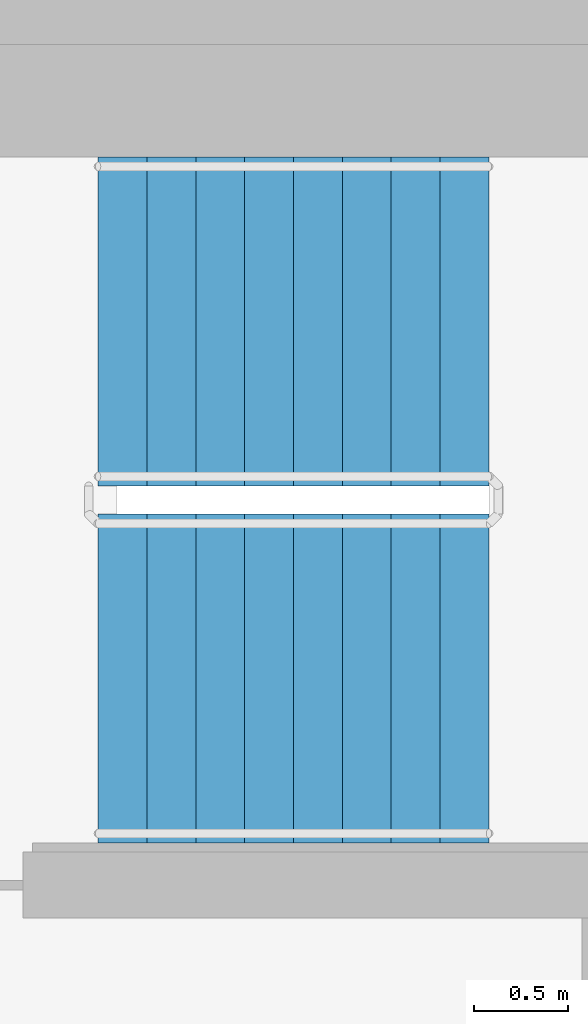
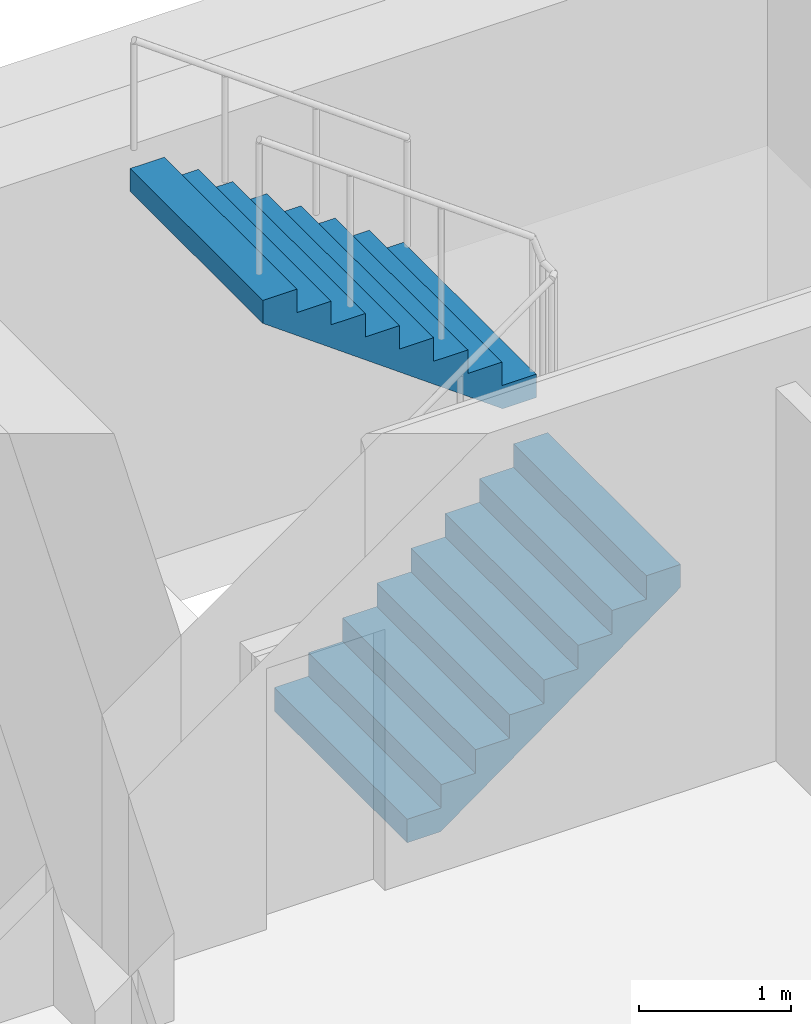
# One storey, part 13 of 18: 2 stair flights, 1 element without a shape of its own.
"""IFC4 building model written with IfcOpenShell, lengths in metres."""

from ifc_helpers import new_model, si_unit, direction, frame, origin, place, context, subcontext, project, spatial, faceted_brep, material, type_object, element, aggregate, save


model = new_model("IFC4")

# Units and contexts
model_context = context("Model", 3, precision=1e-05, world=origin(), true_north=direction((0.0, 1.0)))
body_context = subcontext(model_context, "Body", "Model", "MODEL_VIEW")
ifc_project = project(units=[si_unit("LENGTHUNIT", "METRE"), si_unit("AREAUNIT", "SQUARE_METRE"), si_unit("VOLUMEUNIT", "CUBIC_METRE"), si_unit("PLANEANGLEUNIT", "RADIAN"), si_unit("MASSUNIT", "GRAM", prefix="KILO")], contexts=[model_context])

# Site, building, storey
site_placement = place(None, origin())
site = spatial("IfcSite", under=ifc_project, at=site_placement, CompositionType="ELEMENT")
building_placement = place(site_placement, origin())
building = spatial("IfcBuilding", under=site, at=building_placement, Name="Ipe Terrace Towers", CompositionType="ELEMENT")
storey_placement = place(building_placement, frame((0.0, 0.0, 202.800048828125)))
storey = spatial("IfcBuildingStorey", under=building, at=storey_placement, Name="L56", CompositionType="ELEMENT", Elevation=202.800048828125)

# Stair, stair flights
ifc_material_1 = material(Name="Concrete C30/37", Category="concrete")
stair_type = type_object("IfcStairType", Name="Protected exit stair", PredefinedType="HALF_TURN_STAIR", material=ifc_material_1)
stair_placement = place(storey_placement, origin())
stair = element("IfcStair", 1, at=stair_placement, inside=storey, type_object=stair_type, Name="L56 Exit stair T1-C1", PredefinedType="HALF_TURN_STAIR")
ifc_material_2 = material(Name="Concrete C30/37", Category="concrete")
stair_flight_type = type_object("IfcStairFlightType", Name="Exit stair flight 1750", PredefinedType="STRAIGHT", material=ifc_material_2)
stair_flight_1_placement = place(storey_placement, frame((-26.300048828125, 2.77490234375, 0.0), z_axis=(0.0, 0.0, 1.0), x_axis=(1.0, 0.0, 0.0)))
stair_flight_1 = element("IfcStairFlight", 2, at=stair_flight_1_placement, type_object=stair_flight_type, Name="T1-ST1 flight 1", NumberOfRisers=9, NumberOfTreads=8, PredefinedType="STRAIGHT", RiserHeight=0.188888889, TreadLength=0.26, context=body_context, shape_type="Brep", body=[
    faceted_brep([(0.255126953125, -0.875, 0.0), (2.080078125, -0.875, 1.325927734375), (2.080078125, -0.875, 1.51123046875), (1.820068359375, -0.875, 1.51123046875), (1.820068359375, -0.875, 1.322265625), (1.56005859375, -0.875, 1.322265625), (1.56005859375, -0.875, 1.13330078125), (1.300048828125, -0.875, 1.13330078125), (1.300048828125, -0.875, 0.9443359375), (1.0400390625, -0.875, 0.9443359375), (1.0400390625, -0.875, 0.755615234375), (0.780029296875, -0.875, 0.755615234375), (0.780029296875, -0.875, 0.566650390625), (0.52001953125, -0.875, 0.566650390625), (0.52001953125, -0.875, 0.377685546875), (0.260009765625, -0.875, 0.377685546875), (0.260009765625, -0.875, 0.18896484375), (0.0, -0.875, 0.18896484375), (0.0, -0.875, 0.0), (0.0, 0.875, 0.0), (0.0, 0.875, 0.18896484375), (0.260009765625, 0.875, 0.18896484375), (0.260009765625, 0.875, 0.377685546875), (0.52001953125, 0.875, 0.377685546875), (0.52001953125, 0.875, 0.566650390625), (0.780029296875, 0.875, 0.566650390625), (0.780029296875, 0.875, 0.755615234375), (1.0400390625, 0.875, 0.755615234375), (1.0400390625, 0.875, 0.9443359375), (1.300048828125, 0.875, 0.9443359375), (1.300048828125, 0.875, 1.13330078125), (1.56005859375, 0.875, 1.13330078125), (1.56005859375, 0.875, 1.322265625), (1.820068359375, 0.875, 1.322265625), (1.820068359375, 0.875, 1.51123046875), (2.080078125, 0.875, 1.51123046875), (2.080078125, 0.875, 1.325927734375), (0.255126953125, 0.875, 0.0), (0.0, -0.300048828125, 0.18896484375), (0.0, -0.1201171875, 0.18896484375), (0.0, -0.06005859375, 0.18896484375), (0.0, -0.030029296875, 0.18896484375), (0.0, -0.010009765625, 0.18896484375), (0.0, 0.0, 0.18896484375), (0.0, 0.010009765625, 0.18896484375), (0.0, 0.030029296875, 0.18896484375), (0.0, 0.06005859375, 0.18896484375), (0.0, 0.1201171875, 0.18896484375), (0.0, 0.300048828125, 0.18896484375), (0.0, 0.300048828125, 0.0), (0.0, 0.1201171875, 0.0), (0.0, 0.06005859375, 0.0), (0.0, 0.030029296875, 0.0), (0.0, 0.010009765625, 0.0), (0.0, 0.0, 0.0), (0.0, -0.010009765625, 0.0), (0.0, -0.030029296875, 0.0), (0.0, -0.06005859375, 0.0), (0.0, -0.1201171875, 0.0), (0.0, -0.300048828125, 0.0), (0.260009765625, -0.300048828125, 0.18896484375), (0.260009765625, -0.1201171875, 0.18896484375), (0.260009765625, -0.06005859375, 0.18896484375), (0.260009765625, -0.030029296875, 0.18896484375), (0.260009765625, -0.010009765625, 0.18896484375), (0.260009765625, 0.0, 0.18896484375), (0.260009765625, 0.010009765625, 0.18896484375), (0.260009765625, 0.030029296875, 0.18896484375), (0.260009765625, 0.06005859375, 0.18896484375), (0.260009765625, 0.1201171875, 0.18896484375), (0.260009765625, 0.300048828125, 0.18896484375), (0.260009765625, -0.300048828125, 0.377685546875), (0.260009765625, -0.1201171875, 0.377685546875), (0.260009765625, -0.06005859375, 0.377685546875), (0.260009765625, -0.030029296875, 0.377685546875), (0.260009765625, -0.010009765625, 0.377685546875), (0.260009765625, 0.0, 0.377685546875), (0.260009765625, 0.010009765625, 0.377685546875), (0.260009765625, 0.030029296875, 0.377685546875), (0.260009765625, 0.06005859375, 0.377685546875), (0.260009765625, 0.1201171875, 0.377685546875), (0.260009765625, 0.300048828125, 0.377685546875), (0.52001953125, -0.300048828125, 0.377685546875), (0.52001953125, -0.1201171875, 0.377685546875), (0.52001953125, -0.06005859375, 0.377685546875), (0.52001953125, -0.030029296875, 0.377685546875), (0.52001953125, -0.010009765625, 0.377685546875), (0.52001953125, 0.0, 0.377685546875), (0.52001953125, 0.010009765625, 0.377685546875), (0.52001953125, 0.030029296875, 0.377685546875), (0.52001953125, 0.06005859375, 0.377685546875), (0.52001953125, 0.1201171875, 0.377685546875), (0.52001953125, 0.300048828125, 0.377685546875), (0.52001953125, -0.300048828125, 0.566650390625), (0.52001953125, -0.1201171875, 0.566650390625), (0.52001953125, -0.06005859375, 0.566650390625), (0.52001953125, -0.030029296875, 0.566650390625), (0.52001953125, -0.010009765625, 0.566650390625), (0.52001953125, 0.0, 0.566650390625), (0.52001953125, 0.010009765625, 0.566650390625), (0.52001953125, 0.030029296875, 0.566650390625), (0.52001953125, 0.06005859375, 0.566650390625), (0.52001953125, 0.1201171875, 0.566650390625), (0.52001953125, 0.300048828125, 0.566650390625), (0.780029296875, -0.300048828125, 0.566650390625), (0.780029296875, -0.1201171875, 0.566650390625), (0.780029296875, -0.06005859375, 0.566650390625), (0.780029296875, -0.030029296875, 0.566650390625), (0.780029296875, -0.010009765625, 0.566650390625), (0.780029296875, 0.0, 0.566650390625), (0.780029296875, 0.010009765625, 0.566650390625), (0.780029296875, 0.030029296875, 0.566650390625), (0.780029296875, 0.06005859375, 0.566650390625), (0.780029296875, 0.1201171875, 0.566650390625), (0.780029296875, 0.300048828125, 0.566650390625), (0.780029296875, -0.300048828125, 0.755615234375), (0.780029296875, -0.1201171875, 0.755615234375), (0.780029296875, -0.06005859375, 0.755615234375), (0.780029296875, -0.030029296875, 0.755615234375), (0.780029296875, -0.010009765625, 0.755615234375), (0.780029296875, 0.0, 0.755615234375), (0.780029296875, 0.010009765625, 0.755615234375), (0.780029296875, 0.030029296875, 0.755615234375), (0.780029296875, 0.06005859375, 0.755615234375), (0.780029296875, 0.1201171875, 0.755615234375), (0.780029296875, 0.300048828125, 0.755615234375), (1.0400390625, -0.300048828125, 0.755615234375), (1.0400390625, -0.1201171875, 0.755615234375), (1.0400390625, -0.06005859375, 0.755615234375), (1.0400390625, -0.030029296875, 0.755615234375), (1.0400390625, -0.010009765625, 0.755615234375), (1.0400390625, 0.0, 0.755615234375), (1.0400390625, 0.010009765625, 0.755615234375), (1.0400390625, 0.030029296875, 0.755615234375), (1.0400390625, 0.06005859375, 0.755615234375), (1.0400390625, 0.1201171875, 0.755615234375), (1.0400390625, 0.300048828125, 0.755615234375), (1.0400390625, -0.300048828125, 0.9443359375), (1.0400390625, -0.1201171875, 0.9443359375), (1.0400390625, -0.06005859375, 0.9443359375), (1.0400390625, -0.030029296875, 0.9443359375), (1.0400390625, -0.010009765625, 0.9443359375), (1.0400390625, 0.0, 0.9443359375), (1.0400390625, 0.010009765625, 0.9443359375), (1.0400390625, 0.030029296875, 0.9443359375), (1.0400390625, 0.06005859375, 0.9443359375), (1.0400390625, 0.1201171875, 0.9443359375), (1.0400390625, 0.300048828125, 0.9443359375), (1.300048828125, -0.300048828125, 0.9443359375), (1.300048828125, -0.1201171875, 0.9443359375), (1.300048828125, -0.06005859375, 0.9443359375), (1.300048828125, -0.030029296875, 0.9443359375), (1.300048828125, -0.010009765625, 0.9443359375), (1.300048828125, 0.0, 0.9443359375), (1.300048828125, 0.010009765625, 0.9443359375), (1.300048828125, 0.030029296875, 0.9443359375), (1.300048828125, 0.06005859375, 0.9443359375), (1.300048828125, 0.1201171875, 0.9443359375), (1.300048828125, 0.300048828125, 0.9443359375), (1.300048828125, -0.300048828125, 1.13330078125), (1.300048828125, -0.1201171875, 1.13330078125), (1.300048828125, -0.06005859375, 1.13330078125), (1.300048828125, -0.030029296875, 1.13330078125), (1.300048828125, -0.010009765625, 1.13330078125), (1.300048828125, 0.0, 1.13330078125), (1.300048828125, 0.010009765625, 1.13330078125), (1.300048828125, 0.030029296875, 1.13330078125), (1.300048828125, 0.06005859375, 1.13330078125), (1.300048828125, 0.1201171875, 1.13330078125), (1.300048828125, 0.300048828125, 1.13330078125), (1.56005859375, -0.300048828125, 1.13330078125), (1.56005859375, -0.1201171875, 1.13330078125), (1.56005859375, -0.06005859375, 1.13330078125), (1.56005859375, -0.030029296875, 1.13330078125), (1.56005859375, -0.010009765625, 1.13330078125), (1.56005859375, 0.0, 1.13330078125), (1.56005859375, 0.010009765625, 1.13330078125), (1.56005859375, 0.030029296875, 1.13330078125), (1.56005859375, 0.06005859375, 1.13330078125), (1.56005859375, 0.1201171875, 1.13330078125), (1.56005859375, 0.300048828125, 1.13330078125), (1.56005859375, -0.300048828125, 1.322265625), (1.56005859375, -0.1201171875, 1.322265625), (1.56005859375, -0.06005859375, 1.322265625), (1.56005859375, -0.030029296875, 1.322265625), (1.56005859375, -0.010009765625, 1.322265625), (1.56005859375, 0.0, 1.322265625), (1.56005859375, 0.010009765625, 1.322265625), (1.56005859375, 0.030029296875, 1.322265625), (1.56005859375, 0.06005859375, 1.322265625), (1.56005859375, 0.1201171875, 1.322265625), (1.56005859375, 0.300048828125, 1.322265625), (1.820068359375, -0.300048828125, 1.322265625), (1.820068359375, -0.1201171875, 1.322265625), (1.820068359375, -0.06005859375, 1.322265625), (1.820068359375, -0.030029296875, 1.322265625), (1.820068359375, -0.010009765625, 1.322265625), (1.820068359375, 0.0, 1.322265625), (1.820068359375, 0.010009765625, 1.322265625), (1.820068359375, 0.030029296875, 1.322265625), (1.820068359375, 0.06005859375, 1.322265625), (1.820068359375, 0.1201171875, 1.322265625), (1.820068359375, 0.300048828125, 1.322265625), (1.820068359375, -0.300048828125, 1.51123046875), (1.820068359375, -0.1201171875, 1.51123046875), (1.820068359375, -0.06005859375, 1.51123046875), (1.820068359375, -0.030029296875, 1.51123046875), (1.820068359375, -0.010009765625, 1.51123046875), (1.820068359375, 0.0, 1.51123046875), (1.820068359375, 0.010009765625, 1.51123046875), (1.820068359375, 0.030029296875, 1.51123046875), (1.820068359375, 0.06005859375, 1.51123046875), (1.820068359375, 0.1201171875, 1.51123046875), (1.820068359375, 0.300048828125, 1.51123046875), (2.080078125, -0.300048828125, 1.51123046875), (2.080078125, -0.1201171875, 1.51123046875), (2.080078125, -0.06005859375, 1.51123046875), (2.080078125, -0.030029296875, 1.51123046875), (2.080078125, -0.010009765625, 1.51123046875), (2.080078125, 0.0, 1.51123046875), (2.080078125, 0.010009765625, 1.51123046875), (2.080078125, 0.030029296875, 1.51123046875), (2.080078125, 0.06005859375, 1.51123046875), (2.080078125, 0.1201171875, 1.51123046875), (2.080078125, 0.300048828125, 1.51123046875), (2.080078125, -0.300048828125, 1.325927734375), (2.080078125, -0.1201171875, 1.325927734375), (2.080078125, -0.06005859375, 1.325927734375), (2.080078125, -0.030029296875, 1.325927734375), (2.080078125, -0.010009765625, 1.325927734375), (2.080078125, 0.0, 1.325927734375), (2.080078125, 0.010009765625, 1.325927734375), (2.080078125, 0.030029296875, 1.325927734375), (2.080078125, 0.06005859375, 1.325927734375), (2.080078125, 0.1201171875, 1.325927734375), (2.080078125, 0.300048828125, 1.325927734375), (0.255126953125, -0.300048828125, 0.0), (0.255126953125, -0.1201171875, 0.0), (0.255126953125, -0.06005859375, 0.0), (0.255126953125, -0.030029296875, 0.0), (0.255126953125, -0.010009765625, 0.0), (0.255126953125, 0.0, 0.0), (0.255126953125, 0.010009765625, 0.0), (0.255126953125, 0.030029296875, 0.0), (0.255126953125, 0.06005859375, 0.0), (0.255126953125, 0.1201171875, 0.0), (0.255126953125, 0.300048828125, 0.0)], [[[0, 1, 2, 3, 4, 5, 6, 7, 8, 9, 10, 11, 12, 13, 14, 15, 16, 17, 18]], [[19, 20, 21, 22, 23, 24, 25, 26, 27, 28, 29, 30, 31, 32, 33, 34, 35, 36, 37]], [[17, 38, 39, 40, 41, 42, 43, 44, 45, 46, 47, 48, 20, 19, 49, 50, 51, 52, 53, 54, 55, 56, 57, 58, 59, 18]], [[16, 60, 61, 62, 63, 64, 65, 66, 67, 68, 69, 70, 21, 20, 48, 47, 46, 45, 44, 43, 42, 41, 40, 39, 38, 17]], [[15, 71, 72, 73, 74, 75, 76, 77, 78, 79, 80, 81, 22, 21, 70, 69, 68, 67, 66, 65, 64, 63, 62, 61, 60, 16]], [[14, 82, 83, 84, 85, 86, 87, 88, 89, 90, 91, 92, 23, 22, 81, 80, 79, 78, 77, 76, 75, 74, 73, 72, 71, 15]], [[13, 93, 94, 95, 96, 97, 98, 99, 100, 101, 102, 103, 24, 23, 92, 91, 90, 89, 88, 87, 86, 85, 84, 83, 82, 14]], [[12, 104, 105, 106, 107, 108, 109, 110, 111, 112, 113, 114, 25, 24, 103, 102, 101, 100, 99, 98, 97, 96, 95, 94, 93, 13]], [[11, 115, 116, 117, 118, 119, 120, 121, 122, 123, 124, 125, 26, 25, 114, 113, 112, 111, 110, 109, 108, 107, 106, 105, 104, 12]], [[10, 126, 127, 128, 129, 130, 131, 132, 133, 134, 135, 136, 27, 26, 125, 124, 123, 122, 121, 120, 119, 118, 117, 116, 115, 11]], [[9, 137, 138, 139, 140, 141, 142, 143, 144, 145, 146, 147, 28, 27, 136, 135, 134, 133, 132, 131, 130, 129, 128, 127, 126, 10]], [[8, 148, 149, 150, 151, 152, 153, 154, 155, 156, 157, 158, 29, 28, 147, 146, 145, 144, 143, 142, 141, 140, 139, 138, 137, 9]], [[7, 159, 160, 161, 162, 163, 164, 165, 166, 167, 168, 169, 30, 29, 158, 157, 156, 155, 154, 153, 152, 151, 150, 149, 148, 8]], [[6, 170, 171, 172, 173, 174, 175, 176, 177, 178, 179, 180, 31, 30, 169, 168, 167, 166, 165, 164, 163, 162, 161, 160, 159, 7]], [[5, 181, 182, 183, 184, 185, 186, 187, 188, 189, 190, 191, 32, 31, 180, 179, 178, 177, 176, 175, 174, 173, 172, 171, 170, 6]], [[4, 192, 193, 194, 195, 196, 197, 198, 199, 200, 201, 202, 33, 32, 191, 190, 189, 188, 187, 186, 185, 184, 183, 182, 181, 5]], [[3, 203, 204, 205, 206, 207, 208, 209, 210, 211, 212, 213, 34, 33, 202, 201, 200, 199, 198, 197, 196, 195, 194, 193, 192, 4]], [[2, 214, 215, 216, 217, 218, 219, 220, 221, 222, 223, 224, 35, 34, 213, 212, 211, 210, 209, 208, 207, 206, 205, 204, 203, 3]], [[1, 225, 226, 227, 228, 229, 230, 231, 232, 233, 234, 235, 36, 35, 224, 223, 222, 221, 220, 219, 218, 217, 216, 215, 214, 2]], [[0, 236, 237, 238, 239, 240, 241, 242, 243, 244, 245, 246, 37, 36, 235, 234, 233, 232, 231, 230, 229, 228, 227, 226, 225, 1]], [[18, 59, 58, 57, 56, 55, 54, 53, 52, 51, 50, 49, 19, 37, 246, 245, 244, 243, 242, 241, 240, 239, 238, 237, 236, 0]]]),
])
stair_flight_2_placement = place(storey_placement, frame((-24.219970703125, 4.675048828125, 1.699951171875), z_axis=(0.0, 0.0, 1.0), x_axis=(-1.0, 0.0, 0.0)))
stair_flight_2 = element("IfcStairFlight", 3, at=stair_flight_2_placement, type_object=stair_flight_type, Name="T1-ST1 flight 2", NumberOfRisers=9, NumberOfTreads=8, PredefinedType="STRAIGHT", RiserHeight=0.188888889, TreadLength=0.26, context=body_context, shape_type="Brep", body=[
    faceted_brep([(0.255126953125, -0.875, 0.0), (2.080078125, -0.875, 1.325927734375), (2.080078125, -0.875, 1.51123046875), (1.820068359375, -0.875, 1.51123046875), (1.820068359375, -0.875, 1.322265625), (1.56005859375, -0.875, 1.322265625), (1.56005859375, -0.875, 1.13330078125), (1.300048828125, -0.875, 1.13330078125), (1.300048828125, -0.875, 0.9443359375), (1.0400390625, -0.875, 0.9443359375), (1.0400390625, -0.875, 0.755615234375), (0.780029296875, -0.875, 0.755615234375), (0.780029296875, -0.875, 0.566650390625), (0.52001953125, -0.875, 0.566650390625), (0.52001953125, -0.875, 0.377685546875), (0.260009765625, -0.875, 0.377685546875), (0.260009765625, -0.875, 0.18896484375), (0.0, -0.875, 0.18896484375), (0.0, -0.875, 0.0), (0.0, 0.875, 0.0), (0.0, 0.875, 0.18896484375), (0.260009765625, 0.875, 0.18896484375), (0.260009765625, 0.875, 0.377685546875), (0.52001953125, 0.875, 0.377685546875), (0.52001953125, 0.875, 0.566650390625), (0.780029296875, 0.875, 0.566650390625), (0.780029296875, 0.875, 0.755615234375), (1.0400390625, 0.875, 0.755615234375), (1.0400390625, 0.875, 0.9443359375), (1.300048828125, 0.875, 0.9443359375), (1.300048828125, 0.875, 1.13330078125), (1.56005859375, 0.875, 1.13330078125), (1.56005859375, 0.875, 1.322265625), (1.820068359375, 0.875, 1.322265625), (1.820068359375, 0.875, 1.51123046875), (2.080078125, 0.875, 1.51123046875), (2.080078125, 0.875, 1.325927734375), (0.255126953125, 0.875, 0.0), (0.0, -0.300048828125, 0.18896484375), (0.0, -0.1201171875, 0.18896484375), (0.0, -0.06005859375, 0.18896484375), (0.0, -0.030029296875, 0.18896484375), (0.0, -0.010009765625, 0.18896484375), (0.0, 0.0, 0.18896484375), (0.0, 0.010009765625, 0.18896484375), (0.0, 0.030029296875, 0.18896484375), (0.0, 0.06005859375, 0.18896484375), (0.0, 0.1201171875, 0.18896484375), (0.0, 0.300048828125, 0.18896484375), (0.0, 0.300048828125, 0.0), (0.0, 0.1201171875, 0.0), (0.0, 0.06005859375, 0.0), (0.0, 0.030029296875, 0.0), (0.0, 0.010009765625, 0.0), (0.0, 0.0, 0.0), (0.0, -0.010009765625, 0.0), (0.0, -0.030029296875, 0.0), (0.0, -0.06005859375, 0.0), (0.0, -0.1201171875, 0.0), (0.0, -0.300048828125, 0.0), (0.260009765625, -0.300048828125, 0.18896484375), (0.260009765625, -0.1201171875, 0.18896484375), (0.260009765625, -0.06005859375, 0.18896484375), (0.260009765625, -0.030029296875, 0.18896484375), (0.260009765625, -0.010009765625, 0.18896484375), (0.260009765625, 0.0, 0.18896484375), (0.260009765625, 0.010009765625, 0.18896484375), (0.260009765625, 0.030029296875, 0.18896484375), (0.260009765625, 0.06005859375, 0.18896484375), (0.260009765625, 0.1201171875, 0.18896484375), (0.260009765625, 0.300048828125, 0.18896484375), (0.260009765625, -0.300048828125, 0.377685546875), (0.260009765625, -0.1201171875, 0.377685546875), (0.260009765625, -0.06005859375, 0.377685546875), (0.260009765625, -0.030029296875, 0.377685546875), (0.260009765625, -0.010009765625, 0.377685546875), (0.260009765625, 0.0, 0.377685546875), (0.260009765625, 0.010009765625, 0.377685546875), (0.260009765625, 0.030029296875, 0.377685546875), (0.260009765625, 0.06005859375, 0.377685546875), (0.260009765625, 0.1201171875, 0.377685546875), (0.260009765625, 0.300048828125, 0.377685546875), (0.52001953125, -0.300048828125, 0.377685546875), (0.52001953125, -0.1201171875, 0.377685546875), (0.52001953125, -0.06005859375, 0.377685546875), (0.52001953125, -0.030029296875, 0.377685546875), (0.52001953125, -0.010009765625, 0.377685546875), (0.52001953125, 0.0, 0.377685546875), (0.52001953125, 0.010009765625, 0.377685546875), (0.52001953125, 0.030029296875, 0.377685546875), (0.52001953125, 0.06005859375, 0.377685546875), (0.52001953125, 0.1201171875, 0.377685546875), (0.52001953125, 0.300048828125, 0.377685546875), (0.52001953125, -0.300048828125, 0.566650390625), (0.52001953125, -0.1201171875, 0.566650390625), (0.52001953125, -0.06005859375, 0.566650390625), (0.52001953125, -0.030029296875, 0.566650390625), (0.52001953125, -0.010009765625, 0.566650390625), (0.52001953125, 0.0, 0.566650390625), (0.52001953125, 0.010009765625, 0.566650390625), (0.52001953125, 0.030029296875, 0.566650390625), (0.52001953125, 0.06005859375, 0.566650390625), (0.52001953125, 0.1201171875, 0.566650390625), (0.52001953125, 0.300048828125, 0.566650390625), (0.780029296875, -0.300048828125, 0.566650390625), (0.780029296875, -0.1201171875, 0.566650390625), (0.780029296875, -0.06005859375, 0.566650390625), (0.780029296875, -0.030029296875, 0.566650390625), (0.780029296875, -0.010009765625, 0.566650390625), (0.780029296875, 0.0, 0.566650390625), (0.780029296875, 0.010009765625, 0.566650390625), (0.780029296875, 0.030029296875, 0.566650390625), (0.780029296875, 0.06005859375, 0.566650390625), (0.780029296875, 0.1201171875, 0.566650390625), (0.780029296875, 0.300048828125, 0.566650390625), (0.780029296875, -0.300048828125, 0.755615234375), (0.780029296875, -0.1201171875, 0.755615234375), (0.780029296875, -0.06005859375, 0.755615234375), (0.780029296875, -0.030029296875, 0.755615234375), (0.780029296875, -0.010009765625, 0.755615234375), (0.780029296875, 0.0, 0.755615234375), (0.780029296875, 0.010009765625, 0.755615234375), (0.780029296875, 0.030029296875, 0.755615234375), (0.780029296875, 0.06005859375, 0.755615234375), (0.780029296875, 0.1201171875, 0.755615234375), (0.780029296875, 0.300048828125, 0.755615234375), (1.0400390625, -0.300048828125, 0.755615234375), (1.0400390625, -0.1201171875, 0.755615234375), (1.0400390625, -0.06005859375, 0.755615234375), (1.0400390625, -0.030029296875, 0.755615234375), (1.0400390625, -0.010009765625, 0.755615234375), (1.0400390625, 0.0, 0.755615234375), (1.0400390625, 0.010009765625, 0.755615234375), (1.0400390625, 0.030029296875, 0.755615234375), (1.0400390625, 0.06005859375, 0.755615234375), (1.0400390625, 0.1201171875, 0.755615234375), (1.0400390625, 0.300048828125, 0.755615234375), (1.0400390625, -0.300048828125, 0.9443359375), (1.0400390625, -0.1201171875, 0.9443359375), (1.0400390625, -0.06005859375, 0.9443359375), (1.0400390625, -0.030029296875, 0.9443359375), (1.0400390625, -0.010009765625, 0.9443359375), (1.0400390625, 0.0, 0.9443359375), (1.0400390625, 0.010009765625, 0.9443359375), (1.0400390625, 0.030029296875, 0.9443359375), (1.0400390625, 0.06005859375, 0.9443359375), (1.0400390625, 0.1201171875, 0.9443359375), (1.0400390625, 0.300048828125, 0.9443359375), (1.300048828125, -0.300048828125, 0.9443359375), (1.300048828125, -0.1201171875, 0.9443359375), (1.300048828125, -0.06005859375, 0.9443359375), (1.300048828125, -0.030029296875, 0.9443359375), (1.300048828125, -0.010009765625, 0.9443359375), (1.300048828125, 0.0, 0.9443359375), (1.300048828125, 0.010009765625, 0.9443359375), (1.300048828125, 0.030029296875, 0.9443359375), (1.300048828125, 0.06005859375, 0.9443359375), (1.300048828125, 0.1201171875, 0.9443359375), (1.300048828125, 0.300048828125, 0.9443359375), (1.300048828125, -0.300048828125, 1.13330078125), (1.300048828125, -0.1201171875, 1.13330078125), (1.300048828125, -0.06005859375, 1.13330078125), (1.300048828125, -0.030029296875, 1.13330078125), (1.300048828125, -0.010009765625, 1.13330078125), (1.300048828125, 0.0, 1.13330078125), (1.300048828125, 0.010009765625, 1.13330078125), (1.300048828125, 0.030029296875, 1.13330078125), (1.300048828125, 0.06005859375, 1.13330078125), (1.300048828125, 0.1201171875, 1.13330078125), (1.300048828125, 0.300048828125, 1.13330078125), (1.56005859375, -0.300048828125, 1.13330078125), (1.56005859375, -0.1201171875, 1.13330078125), (1.56005859375, -0.06005859375, 1.13330078125), (1.56005859375, -0.030029296875, 1.13330078125), (1.56005859375, -0.010009765625, 1.13330078125), (1.56005859375, 0.0, 1.13330078125), (1.56005859375, 0.010009765625, 1.13330078125), (1.56005859375, 0.030029296875, 1.13330078125), (1.56005859375, 0.06005859375, 1.13330078125), (1.56005859375, 0.1201171875, 1.13330078125), (1.56005859375, 0.300048828125, 1.13330078125), (1.56005859375, -0.300048828125, 1.322265625), (1.56005859375, -0.1201171875, 1.322265625), (1.56005859375, -0.06005859375, 1.322265625), (1.56005859375, -0.030029296875, 1.322265625), (1.56005859375, -0.010009765625, 1.322265625), (1.56005859375, 0.0, 1.322265625), (1.56005859375, 0.010009765625, 1.322265625), (1.56005859375, 0.030029296875, 1.322265625), (1.56005859375, 0.06005859375, 1.322265625), (1.56005859375, 0.1201171875, 1.322265625), (1.56005859375, 0.300048828125, 1.322265625), (1.820068359375, -0.300048828125, 1.322265625), (1.820068359375, -0.1201171875, 1.322265625), (1.820068359375, -0.06005859375, 1.322265625), (1.820068359375, -0.030029296875, 1.322265625), (1.820068359375, -0.010009765625, 1.322265625), (1.820068359375, 0.0, 1.322265625), (1.820068359375, 0.010009765625, 1.322265625), (1.820068359375, 0.030029296875, 1.322265625), (1.820068359375, 0.06005859375, 1.322265625), (1.820068359375, 0.1201171875, 1.322265625), (1.820068359375, 0.300048828125, 1.322265625), (1.820068359375, -0.300048828125, 1.51123046875), (1.820068359375, -0.1201171875, 1.51123046875), (1.820068359375, -0.06005859375, 1.51123046875), (1.820068359375, -0.030029296875, 1.51123046875), (1.820068359375, -0.010009765625, 1.51123046875), (1.820068359375, 0.0, 1.51123046875), (1.820068359375, 0.010009765625, 1.51123046875), (1.820068359375, 0.030029296875, 1.51123046875), (1.820068359375, 0.06005859375, 1.51123046875), (1.820068359375, 0.1201171875, 1.51123046875), (1.820068359375, 0.300048828125, 1.51123046875), (2.080078125, -0.300048828125, 1.51123046875), (2.080078125, -0.1201171875, 1.51123046875), (2.080078125, -0.06005859375, 1.51123046875), (2.080078125, -0.030029296875, 1.51123046875), (2.080078125, -0.010009765625, 1.51123046875), (2.080078125, 0.0, 1.51123046875), (2.080078125, 0.010009765625, 1.51123046875), (2.080078125, 0.030029296875, 1.51123046875), (2.080078125, 0.06005859375, 1.51123046875), (2.080078125, 0.1201171875, 1.51123046875), (2.080078125, 0.300048828125, 1.51123046875), (2.080078125, -0.300048828125, 1.325927734375), (2.080078125, -0.1201171875, 1.325927734375), (2.080078125, -0.06005859375, 1.325927734375), (2.080078125, -0.030029296875, 1.325927734375), (2.080078125, -0.010009765625, 1.325927734375), (2.080078125, 0.0, 1.325927734375), (2.080078125, 0.010009765625, 1.325927734375), (2.080078125, 0.030029296875, 1.325927734375), (2.080078125, 0.06005859375, 1.325927734375), (2.080078125, 0.1201171875, 1.325927734375), (2.080078125, 0.300048828125, 1.325927734375), (0.255126953125, -0.300048828125, 0.0), (0.255126953125, -0.1201171875, 0.0), (0.255126953125, -0.06005859375, 0.0), (0.255126953125, -0.030029296875, 0.0), (0.255126953125, -0.010009765625, 0.0), (0.255126953125, 0.0, 0.0), (0.255126953125, 0.010009765625, 0.0), (0.255126953125, 0.030029296875, 0.0), (0.255126953125, 0.06005859375, 0.0), (0.255126953125, 0.1201171875, 0.0), (0.255126953125, 0.300048828125, 0.0)], [[[0, 1, 2, 3, 4, 5, 6, 7, 8, 9, 10, 11, 12, 13, 14, 15, 16, 17, 18]], [[19, 20, 21, 22, 23, 24, 25, 26, 27, 28, 29, 30, 31, 32, 33, 34, 35, 36, 37]], [[17, 38, 39, 40, 41, 42, 43, 44, 45, 46, 47, 48, 20, 19, 49, 50, 51, 52, 53, 54, 55, 56, 57, 58, 59, 18]], [[16, 60, 61, 62, 63, 64, 65, 66, 67, 68, 69, 70, 21, 20, 48, 47, 46, 45, 44, 43, 42, 41, 40, 39, 38, 17]], [[15, 71, 72, 73, 74, 75, 76, 77, 78, 79, 80, 81, 22, 21, 70, 69, 68, 67, 66, 65, 64, 63, 62, 61, 60, 16]], [[14, 82, 83, 84, 85, 86, 87, 88, 89, 90, 91, 92, 23, 22, 81, 80, 79, 78, 77, 76, 75, 74, 73, 72, 71, 15]], [[13, 93, 94, 95, 96, 97, 98, 99, 100, 101, 102, 103, 24, 23, 92, 91, 90, 89, 88, 87, 86, 85, 84, 83, 82, 14]], [[12, 104, 105, 106, 107, 108, 109, 110, 111, 112, 113, 114, 25, 24, 103, 102, 101, 100, 99, 98, 97, 96, 95, 94, 93, 13]], [[11, 115, 116, 117, 118, 119, 120, 121, 122, 123, 124, 125, 26, 25, 114, 113, 112, 111, 110, 109, 108, 107, 106, 105, 104, 12]], [[10, 126, 127, 128, 129, 130, 131, 132, 133, 134, 135, 136, 27, 26, 125, 124, 123, 122, 121, 120, 119, 118, 117, 116, 115, 11]], [[9, 137, 138, 139, 140, 141, 142, 143, 144, 145, 146, 147, 28, 27, 136, 135, 134, 133, 132, 131, 130, 129, 128, 127, 126, 10]], [[8, 148, 149, 150, 151, 152, 153, 154, 155, 156, 157, 158, 29, 28, 147, 146, 145, 144, 143, 142, 141, 140, 139, 138, 137, 9]], [[7, 159, 160, 161, 162, 163, 164, 165, 166, 167, 168, 169, 30, 29, 158, 157, 156, 155, 154, 153, 152, 151, 150, 149, 148, 8]], [[6, 170, 171, 172, 173, 174, 175, 176, 177, 178, 179, 180, 31, 30, 169, 168, 167, 166, 165, 164, 163, 162, 161, 160, 159, 7]], [[5, 181, 182, 183, 184, 185, 186, 187, 188, 189, 190, 191, 32, 31, 180, 179, 178, 177, 176, 175, 174, 173, 172, 171, 170, 6]], [[4, 192, 193, 194, 195, 196, 197, 198, 199, 200, 201, 202, 33, 32, 191, 190, 189, 188, 187, 186, 185, 184, 183, 182, 181, 5]], [[3, 203, 204, 205, 206, 207, 208, 209, 210, 211, 212, 213, 34, 33, 202, 201, 200, 199, 198, 197, 196, 195, 194, 193, 192, 4]], [[2, 214, 215, 216, 217, 218, 219, 220, 221, 222, 223, 224, 35, 34, 213, 212, 211, 210, 209, 208, 207, 206, 205, 204, 203, 3]], [[1, 225, 226, 227, 228, 229, 230, 231, 232, 233, 234, 235, 36, 35, 224, 223, 222, 221, 220, 219, 218, 217, 216, 215, 214, 2]], [[0, 236, 237, 238, 239, 240, 241, 242, 243, 244, 245, 246, 37, 36, 235, 234, 233, 232, 231, 230, 229, 228, 227, 226, 225, 1]], [[18, 59, 58, 57, 56, 55, 54, 53, 52, 51, 50, 49, 19, 37, 246, 245, 244, 243, 242, 241, 240, 239, 238, 237, 236, 0]]]),
])
aggregate(stair, [stair_flight_1, stair_flight_2])

save(model, "model.ifc")
